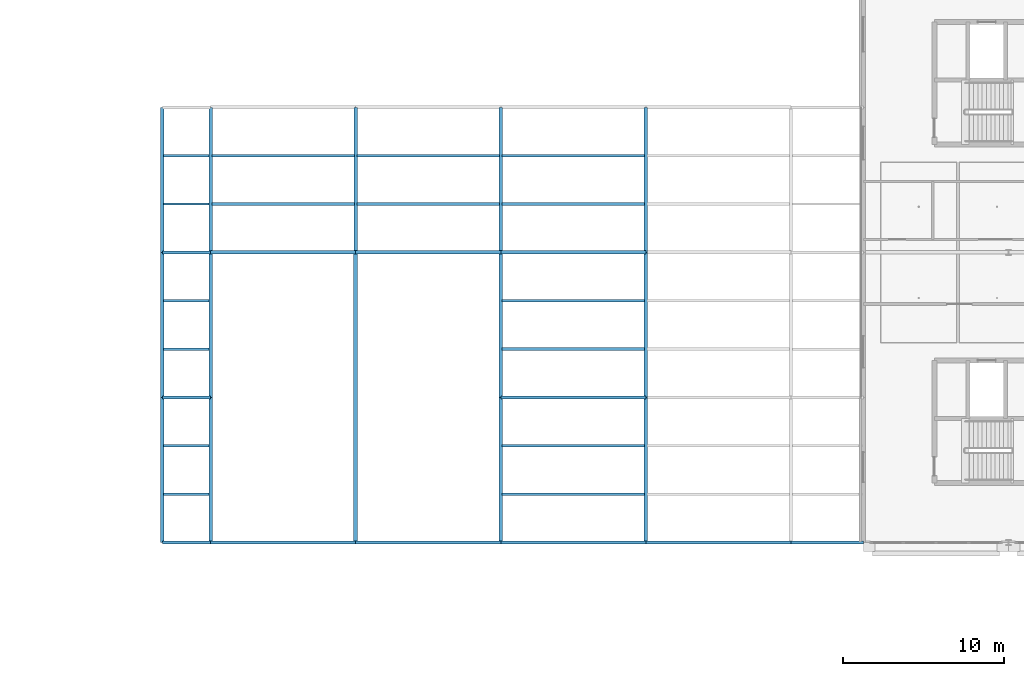
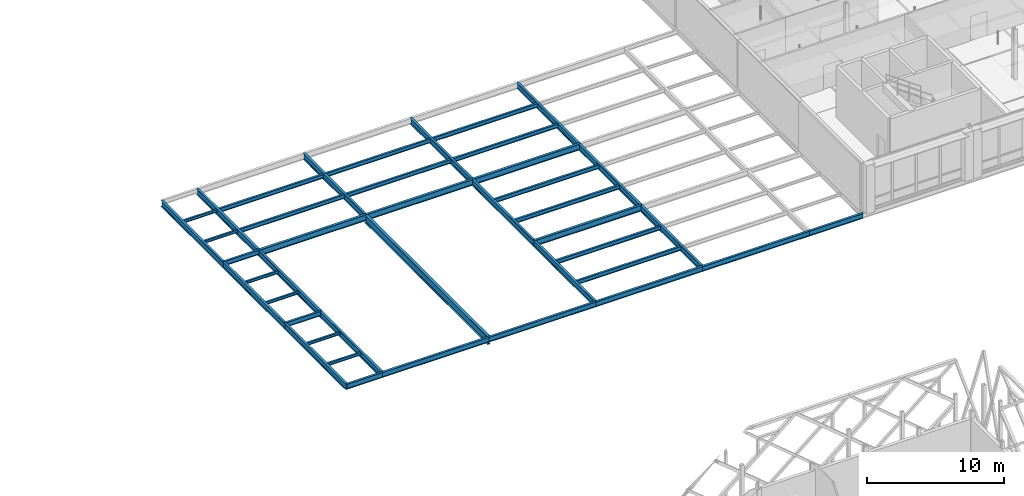
# One storey, part 27 of 66: 42 beams.
"""IFC4 building model written with IfcOpenShell, lengths in metres."""

from ifc_helpers import new_model, si_unit, direction, frame, origin, origin_2d, place, context, subcontext, project, spatial, i_section, extrude, material, material_profile, profile_set, type_object, element, save


model = new_model("IFC4")

# Units and contexts
model_context = context("Model", 3, precision=1e-05, world=origin(), true_north=direction((0.0, 1.0)))
body_context = subcontext(model_context, "Body", "Model", "MODEL_VIEW")
ifc_project = project(units=[si_unit("LENGTHUNIT", "METRE"), si_unit("AREAUNIT", "SQUARE_METRE"), si_unit("VOLUMEUNIT", "CUBIC_METRE"), si_unit("PLANEANGLEUNIT", "RADIAN"), si_unit("MASSUNIT", "GRAM", prefix="KILO"), si_unit("THERMODYNAMICTEMPERATUREUNIT", "KELVIN"), si_unit("POWERUNIT", "WATT")], contexts=[model_context])

# Site, building, storey
site_placement = place(None, origin())
site = spatial("IfcSite", under=ifc_project, at=site_placement, CompositionType="ELEMENT")
building_placement = place(site_placement, origin())
building = spatial("IfcBuilding", under=site, at=building_placement, Name="Tallowbark Science Centre", CompositionType="ELEMENT")
storey_placement = place(building_placement, frame((0.0, 0.0, 18.89990234375)))
storey = spatial("IfcBuildingStorey", under=building, at=storey_placement, Name="L04", CompositionType="ELEMENT", Elevation=18.89990234375)

# Beams
ifc_material = material(Name="Structural Steel Grade 300PLUS (300 MPa)", Category="steel")
ifc_material_profile_1 = material_profile(ifc_material, i_section(OverallWidth=0.177734375, OverallDepth=0.406494140625, WebThickness=0.0078125, FlangeThickness=0.0126953125, FilletRadius=0.011474609375, at=origin_2d()), Name="410UB59.7")
ifc_profile_set_1 = profile_set([ifc_material_profile_1], Name="Structural Steel Grade 300PLUS (300 MPa)")
beam_type_1 = type_object("IfcBeamType", Name="BM-UB410", PredefinedType="BEAM", material=ifc_profile_set_1)
for number, where, z_axis, x_axis, name in (
    (1, (69.0, 81.0, -0.383056640625), (1.0, 0.0, 0.0), (0.0, 1.0, 0.0), "Primary Girder GRDX-L04-690-720-810"),
    (2, (69.0, 90.0, -0.383056640625), (1.0, 0.0, 0.0), (0.0, 1.0, 0.0), "Primary Girder GRDX-L04-690-720-900"),
):
    element("IfcBeam", number, at=place(storey_placement, frame(where, z_axis=z_axis, x_axis=x_axis)), inside=storey, type_object=beam_type_1, Name=name, PredefinedType="BEAM", context=body_context, shape_type="SweptSolid", body=[
        extrude(i_section(OverallWidth=0.177734375, OverallDepth=0.406494140625, WebThickness=0.0078125, FlangeThickness=0.0126953125, FilletRadius=0.011474609375, at=origin_2d()), origin(), (0.0, 0.0, 1.0), 3.0),
    ])
ifc_material_profile_2 = material_profile(ifc_material, i_section(OverallWidth=0.208984375, OverallDepth=0.532958984375, WebThickness=0.01025390625, FlangeThickness=0.015625, FilletRadius=0.013916015625, at=origin_2d()), Name="530UB92.4")
ifc_profile_set_2 = profile_set([ifc_material_profile_2], Name="Structural Steel Grade 300PLUS (300 MPa)")
beam_type_2 = type_object("IfcBeamType", Name="BM-UB530A", PredefinedType="BEAM", material=ifc_profile_set_2)
for number, where, z_axis, x_axis, name in (
    (3, (90.0, 81.0, -0.4462890625), (1.0, 0.0, 0.0), (0.0, 1.0, 0.0), "Primary Girder GRDX-L04-900-990-810"),
    (4, (72.0, 90.0, -0.4462890625), (1.0, 0.0, 0.0), (0.0, 1.0, 0.0), "Primary Girder GRDX-L04-720-810-900"),
    (5, (81.0, 90.0, -0.4462890625), (1.0, 0.0, 0.0), (0.0, 1.0, 0.0), "Primary Girder GRDX-L04-810-900-900"),
    (6, (90.0, 90.0, -0.4462890625), (1.0, 0.0, 0.0), (0.0, 1.0, 0.0), "Primary Girder GRDX-L04-900-990-900"),
):
    element("IfcBeam", number, at=place(storey_placement, frame(where, z_axis=z_axis, x_axis=x_axis)), inside=storey, type_object=beam_type_2, Name=name, PredefinedType="BEAM", context=body_context, shape_type="SweptSolid", body=[
        extrude(i_section(OverallWidth=0.208984375, OverallDepth=0.532958984375, WebThickness=0.01025390625, FlangeThickness=0.015625, FilletRadius=0.013916015625, at=origin_2d()), origin(), (0.0, 0.0, 1.0), 9.0),
    ])
ifc_material_profile_3 = material_profile(ifc_material, i_section(OverallWidth=0.208740234375, OverallDepth=0.5283203125, WebThickness=0.009521484375, FlangeThickness=0.01318359375, FilletRadius=0.013916015625, at=origin_2d()), Name="530UB82.0")
ifc_profile_set_3 = profile_set([ifc_material_profile_3], Name="Structural Steel Grade 300PLUS (300 MPa)")
beam_type_3 = type_object("IfcBeamType", Name="BM-UB530B", PredefinedType="BEAM", material=ifc_profile_set_3)
for number, where, z_axis, x_axis, name in (
    (7, (69.0, 72.0, -0.444091796875), (0.0, 1.0, 0.0), (-1.0, 0.0, 0.0), "Primary Girder GRDY-L04-690-720-810"),
    (8, (69.0, 81.0, -0.444091796875), (0.0, 1.0, 0.0), (-1.0, 0.0, 0.0), "Primary Girder GRDY-L04-690-810-900"),
    (9, (69.0, 90.0, -0.444091796875), (0.0, 1.0, 0.0), (-1.0, 0.0, 0.0), "Primary Girder GRDY-L04-690-900-990"),
    (10, (72.0, 72.0, -0.444091796875), (0.0, 1.0, 0.0), (-1.0, 0.0, 0.0), "Primary Girder GRDY-L04-720-720-810"),
    (11, (72.0, 81.0, -0.444091796875), (0.0, 1.0, 0.0), (-1.0, 0.0, 0.0), "Primary Girder GRDY-L04-720-810-900"),
    (12, (72.0, 90.0, -0.444091796875), (0.0, 1.0, 0.0), (-1.0, 0.0, 0.0), "Primary Girder GRDY-L04-720-900-990"),
    (13, (81.0, 90.0, -0.444091796875), (0.0, 1.0, 0.0), (-1.0, 0.0, 0.0), "Primary Girder GRDY-L04-810-900-990"),
    (14, (90.0, 72.0, -0.444091796875), (0.0, 1.0, 0.0), (-1.0, 0.0, 0.0), "Primary Girder GRDY-L04-900-720-810"),
    (15, (90.0, 81.0, -0.444091796875), (0.0, 1.0, 0.0), (-1.0, 0.0, 0.0), "Primary Girder GRDY-L04-900-810-900"),
    (16, (90.0, 90.0, -0.444091796875), (0.0, 1.0, 0.0), (-1.0, 0.0, 0.0), "Primary Girder GRDY-L04-900-900-990"),
    (17, (99.0, 72.0, -0.444091796875), (0.0, 1.0, 0.0), (-1.0, 0.0, 0.0), "Primary Girder GRDY-L04-990-720-810"),
    (18, (99.0, 81.0, -0.444091796875), (0.0, 1.0, 0.0), (-1.0, 0.0, 0.0), "Primary Girder GRDY-L04-990-810-900"),
    (19, (99.0, 90.0, -0.444091796875), (0.0, 1.0, 0.0), (-1.0, 0.0, 0.0), "Primary Girder GRDY-L04-990-900-990"),
):
    element("IfcBeam", number, at=place(storey_placement, frame(where, z_axis=z_axis, x_axis=x_axis)), inside=storey, type_object=beam_type_3, Name=name, PredefinedType="BEAM", context=body_context, shape_type="SweptSolid", body=[
        extrude(i_section(OverallWidth=0.208740234375, OverallDepth=0.5283203125, WebThickness=0.009521484375, FlangeThickness=0.01318359375, FilletRadius=0.013916015625, at=origin_2d()), origin(), (0.0, 0.0, 1.0), 9.0),
    ])
ifc_material_profile_4 = material_profile(ifc_material, i_section(OverallWidth=0.25, OverallDepth=0.699951171875, WebThickness=0.010009765625, FlangeThickness=0.02001953125, FilletRadius=0.013916015625, at=origin_2d()), Name="700WB130")
ifc_profile_set_4 = profile_set([ifc_material_profile_4], Name="Structural Steel Grade 300PLUS (300 MPa)")
beam_type_4 = type_object("IfcBeamType", Name="BM-WB700", PredefinedType="BEAM", material=ifc_profile_set_4)
beam_1_placement = place(storey_placement, frame((81.0, 72.0, -0.52978515625), z_axis=(0.0, 1.0, 0.0), x_axis=(-1.0, 0.0, 0.0)))
element("IfcBeam", 20, at=beam_1_placement, inside=storey, type_object=beam_type_4, Name="Primary Girder GRDY-L04-810-720-900", PredefinedType="BEAM", context=body_context, shape_type="SweptSolid", body=[
    extrude(i_section(OverallWidth=0.25, OverallDepth=0.699951171875, WebThickness=0.010009765625, FlangeThickness=0.02001953125, FilletRadius=0.013916015625, at=origin_2d()), origin(), (0.0, 0.0, 1.0), 18.0),
])
ifc_material_profile_5 = material_profile(ifc_material, i_section(OverallWidth=0.146484375, OverallDepth=0.256103515625, WebThickness=0.00634765625, FlangeThickness=0.010986328125, FilletRadius=0.0087890625, at=origin_2d()), Name="250UB37.3")
ifc_profile_set_5 = profile_set([ifc_material_profile_5], Name="Structural Steel Grade 300PLUS (300 MPa)")
beam_type_5 = type_object("IfcBeamType", Name="JST-UB250", PredefinedType="JOIST", material=ifc_profile_set_5)
for number, where, z_axis, x_axis, name in (
    (21, (69.0849609375, 75.0, -0.30810546875), (1.0, 0.0, 0.0), (0.0, 1.0, 0.0), "Composite Floor Joist JSTX-L04-690-750"),
    (22, (69.0849609375, 78.0, -0.30810546875), (1.0, 0.0, 0.0), (0.0, 1.0, 0.0), "Composite Floor Joist JSTX-L04-690-780"),
    (23, (69.0849609375, 84.0, -0.30810546875), (1.0, 0.0, 0.0), (0.0, 1.0, 0.0), "Composite Floor Joist JSTX-L04-690-840"),
    (24, (69.0849609375, 87.0, -0.30810546875), (1.0, 0.0, 0.0), (0.0, 1.0, 0.0), "Composite Floor Joist JSTX-L04-690-870"),
    (25, (69.0849609375, 93.0, -0.30810546875), (1.0, 0.0, 0.0), (0.0, 1.0, 0.0), "Composite Floor Joist JSTX-L04-690-930"),
    (26, (69.0849609375, 96.0, -0.30810546875), (1.0, 0.0, 0.0), (0.0, 1.0, 0.0), "Composite Floor Joist JSTX-L04-690-960"),
):
    element("IfcBeam", number, at=place(storey_placement, frame(where, z_axis=z_axis, x_axis=x_axis)), inside=storey, type_object=beam_type_5, Name=name, PredefinedType="JOIST", context=body_context, shape_type="SweptSolid", body=[
        extrude(i_section(OverallWidth=0.146484375, OverallDepth=0.256103515625, WebThickness=0.00634765625, FlangeThickness=0.010986328125, FilletRadius=0.0087890625, at=origin_2d()), origin(), (0.0, 0.0, 1.0), 2.830078125),
    ])
ifc_material_profile_6 = material_profile(ifc_material, i_section(OverallWidth=0.172119140625, OverallDepth=0.358642578125, WebThickness=0.008056640625, FlangeThickness=0.012939453125, FilletRadius=0.011474609375, at=origin_2d()), Name="360UB56.7")
ifc_profile_set_6 = profile_set([ifc_material_profile_6], Name="Structural Steel Grade 300PLUS (300 MPa)")
beam_type_6 = type_object("IfcBeamType", Name="JST-UB360", PredefinedType="JOIST", material=ifc_profile_set_6)
for number, where, z_axis, x_axis, name in (
    (27, (90.0849609375, 75.0, -0.359130859375), (1.0, 0.0, 0.0), (0.0, 1.0, 0.0), "Composite Floor Joist JSTX-L04-900-750"),
    (28, (90.0849609375, 78.0, -0.359130859375), (1.0, 0.0, 0.0), (0.0, 1.0, 0.0), "Composite Floor Joist JSTX-L04-900-780"),
    (29, (90.0849609375, 84.0, -0.359130859375), (1.0, 0.0, 0.0), (0.0, 1.0, 0.0), "Composite Floor Joist JSTX-L04-900-840"),
    (30, (90.0849609375, 87.0, -0.359130859375), (1.0, 0.0, 0.0), (0.0, 1.0, 0.0), "Composite Floor Joist JSTX-L04-900-870"),
    (31, (72.0849609375, 93.0, -0.359130859375), (1.0, 0.0, 0.0), (0.0, 1.0, 0.0), "Composite Floor Joist JSTX-L04-720-930"),
    (32, (72.0849609375, 96.0, -0.359130859375), (1.0, 0.0, 0.0), (0.0, 1.0, 0.0), "Composite Floor Joist JSTX-L04-720-960"),
    (33, (81.0849609375, 93.0, -0.359130859375), (1.0, 0.0, 0.0), (0.0, 1.0, 0.0), "Composite Floor Joist JSTX-L04-810-930"),
    (34, (81.0849609375, 96.0, -0.359130859375), (1.0, 0.0, 0.0), (0.0, 1.0, 0.0), "Composite Floor Joist JSTX-L04-810-960"),
    (35, (90.0849609375, 93.0, -0.359130859375), (1.0, 0.0, 0.0), (0.0, 1.0, 0.0), "Composite Floor Joist JSTX-L04-900-930"),
    (36, (90.0849609375, 96.0, -0.359130859375), (1.0, 0.0, 0.0), (0.0, 1.0, 0.0), "Composite Floor Joist JSTX-L04-900-960"),
):
    element("IfcBeam", number, at=place(storey_placement, frame(where, z_axis=z_axis, x_axis=x_axis)), inside=storey, type_object=beam_type_6, Name=name, PredefinedType="JOIST", context=body_context, shape_type="SweptSolid", body=[
        extrude(i_section(OverallWidth=0.172119140625, OverallDepth=0.358642578125, WebThickness=0.008056640625, FlangeThickness=0.012939453125, FilletRadius=0.011474609375, at=origin_2d()), origin(), (0.0, 0.0, 1.0), 8.830078125),
    ])
ifc_material_profile_7 = material_profile(ifc_material, i_section(OverallWidth=0.18994140625, OverallDepth=0.453857421875, WebThickness=0.008544921875, FlangeThickness=0.0126953125, FilletRadius=0.011474609375, at=origin_2d()), Name="460UB67.1")
ifc_profile_set_7 = profile_set([ifc_material_profile_7], Name="Structural Steel Grade 300PLUS (300 MPa)")
beam_type_7 = type_object("IfcBeamType", Name="SPN-UB460", PredefinedType="SPANDREL", material=ifc_profile_set_7)
beam_2_placement = place(storey_placement, frame((69.0, 72.0, -0.40673828125), z_axis=(1.0, 0.0, 0.0), x_axis=(0.0, 1.0, 0.0)))
element("IfcBeam", 37, at=beam_2_placement, inside=storey, type_object=beam_type_7, Name="Primary Girder GRDX-L04-690-720-720", PredefinedType="SPANDREL", context=body_context, shape_type="SweptSolid", body=[
    extrude(i_section(OverallWidth=0.18994140625, OverallDepth=0.453857421875, WebThickness=0.008544921875, FlangeThickness=0.0126953125, FilletRadius=0.011474609375, at=origin_2d()), origin(), (0.0, 0.0, 1.0), 3.0),
])
for number, where, z_axis, x_axis, name in (
    (38, (72.0, 72.0, -0.40673828125), (1.0, 0.0, 0.0), (0.0, 1.0, 0.0), "Primary Girder GRDX-L04-720-810-720"),
    (39, (81.0, 72.0, -0.40673828125), (1.0, 0.0, 0.0), (0.0, 1.0, 0.0), "Primary Girder GRDX-L04-810-900-720"),
    (40, (90.0, 72.0, -0.40673828125), (1.0, 0.0, 0.0), (0.0, 1.0, 0.0), "Primary Girder GRDX-L04-900-990-720"),
    (41, (99.0, 72.0, -0.40673828125), (1.0, 0.0, 0.0), (0.0, 1.0, 0.0), "Primary Girder GRDX-L04-990-1080-720"),
):
    element("IfcBeam", number, at=place(storey_placement, frame(where, z_axis=z_axis, x_axis=x_axis)), inside=storey, type_object=beam_type_7, Name=name, PredefinedType="SPANDREL", context=body_context, shape_type="SweptSolid", body=[
        extrude(i_section(OverallWidth=0.18994140625, OverallDepth=0.453857421875, WebThickness=0.008544921875, FlangeThickness=0.0126953125, FilletRadius=0.011474609375, at=origin_2d()), origin(), (0.0, 0.0, 1.0), 9.0),
    ])
beam_3_placement = place(storey_placement, frame((108.0, 72.0, -0.40673828125), z_axis=(1.0, 0.0, 0.0), x_axis=(0.0, 1.0, 0.0)))
element("IfcBeam", 42, at=beam_3_placement, inside=storey, type_object=beam_type_7, Name="Primary Girder GRDX-L04-1080-1125-720", PredefinedType="SPANDREL", context=body_context, shape_type="SweptSolid", body=[
    extrude(i_section(OverallWidth=0.18994140625, OverallDepth=0.453857421875, WebThickness=0.008544921875, FlangeThickness=0.0126953125, FilletRadius=0.011474609375, at=origin_2d()), origin(), (0.0, 0.0, 1.0), 4.5),
])

save(model, "model.ifc")
